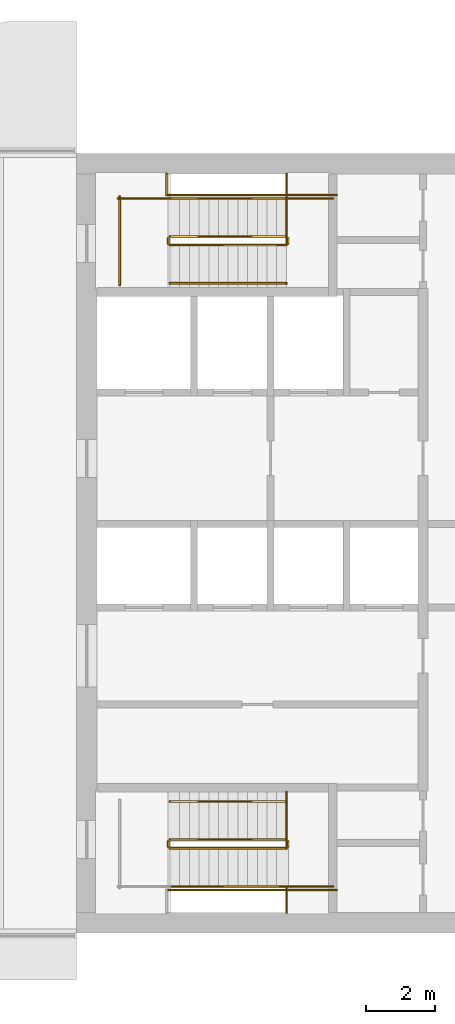
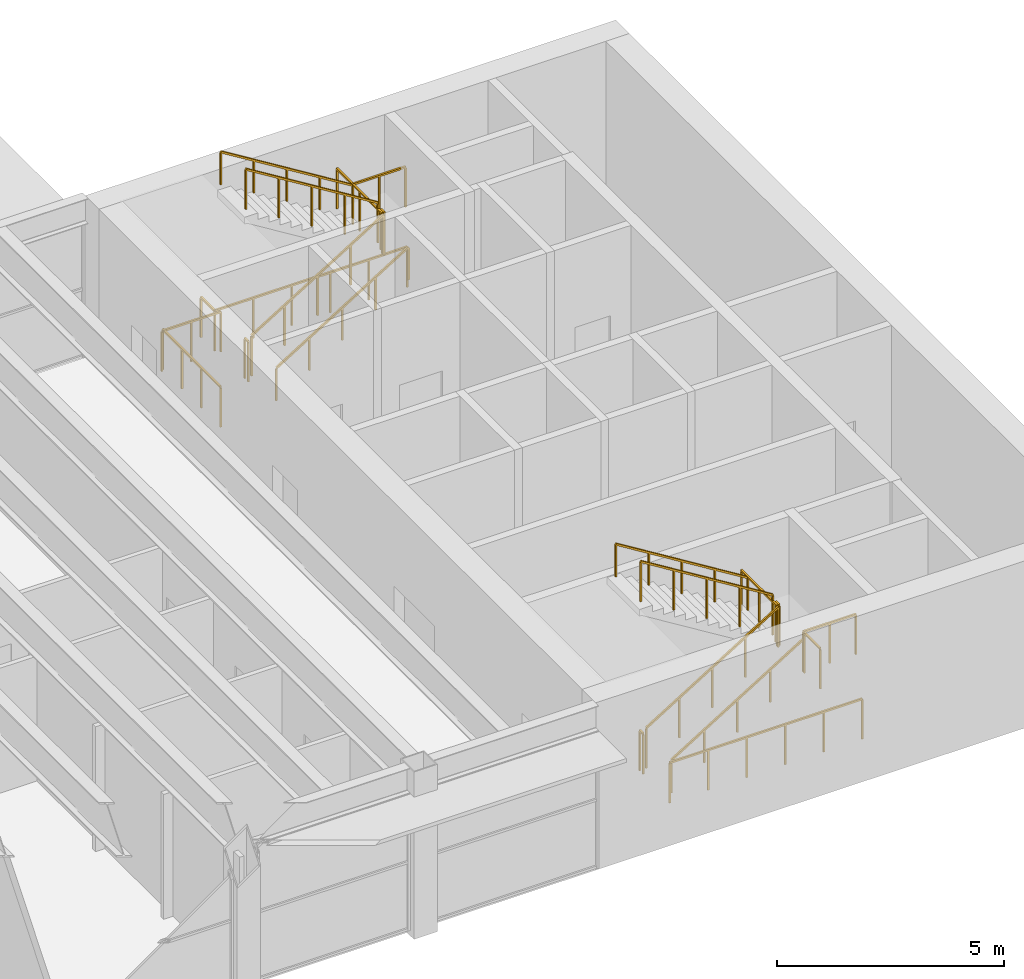
# One storey, part 14 of 14: 22 railings.
"""IFC4 building model written with IfcOpenShell, lengths in metres."""

from ifc_helpers import new_model, si_unit, direction, frame, origin, origin_2d, place, context, subcontext, project, spatial, rectangle, extrude, material, type_object, element, save


model = new_model("IFC4")

# Units and contexts
model_context = context("Model", 3, precision=1e-05, world=origin(), true_north=direction((0.0, 1.0)))
body_context = subcontext(model_context, "Body", "Model", "MODEL_VIEW")
ifc_project = project(units=[si_unit("LENGTHUNIT", "METRE"), si_unit("AREAUNIT", "SQUARE_METRE"), si_unit("VOLUMEUNIT", "CUBIC_METRE"), si_unit("PLANEANGLEUNIT", "RADIAN"), si_unit("MASSUNIT", "GRAM", prefix="KILO")], contexts=[model_context])

# Site, building, storey
site_placement = place(None, origin())
site = spatial("IfcSite", under=ifc_project, at=site_placement, CompositionType="ELEMENT")
building_placement = place(site_placement, origin())
building = spatial("IfcBuilding", under=site, at=building_placement, Name="Sennacour Bend Tower", CompositionType="ELEMENT")
storey_placement = place(building_placement, frame((0.0, 0.0, 332.0)))
storey = spatial("IfcBuildingStorey", under=building, at=storey_placement, Name="L76", CompositionType="ELEMENT", Elevation=332.0)

# Railings
ifc_material = material(Name="Stainless steel", Category="steel")
railing_type_1 = type_object("IfcRailingType", Name="RL-GUARD-1100", PredefinedType="GUARDRAIL", material=ifc_material)
railing_1_placement = place(storey_placement, frame((56.699951171875, 2.449951171875, 0.173095703125)))
element("IfcRailing", 1, at=railing_1_placement, inside=storey, type_object=railing_type_1, Name="L76 SA1 stair guard 1", PredefinedType="GUARDRAIL", context=body_context, shape_type="SweptSolid", body=[
    extrude(rectangle(XDim=0.048095703125, YDim=0.048095703125, at=origin_2d()), frame((0.0, 0.0, 1.076171875), z_axis=(0.850623216509, 0.0, 0.525775754039), x_axis=(0.0, 1.0, 0.0)), (0.0, 0.0, 1.0), 3.9501953125),
    extrude(rectangle(XDim=0.0419921875, YDim=0.0419921875, at=origin_2d()), origin(), (0.0, 0.0, 1.0), 1.052001953125),
    extrude(rectangle(XDim=0.0419921875, YDim=0.0419921875, at=origin_2d()), frame((0.840087890625, 0.0, 0.519287109375)), (0.0, 0.0, 1.0), 1.052001953125),
    extrude(rectangle(XDim=0.0419921875, YDim=0.0419921875, at=origin_2d()), frame((1.68017578125, 0.0, 1.03857421875)), (0.0, 0.0, 1.0), 1.052001953125),
    extrude(rectangle(XDim=0.0419921875, YDim=0.0419921875, at=origin_2d()), frame((2.52001953125, 0.0, 1.5576171875)), (0.0, 0.0, 1.0), 1.052001953125),
    extrude(rectangle(XDim=0.0419921875, YDim=0.0419921875, at=origin_2d()), frame((3.360107421875, 0.0, 2.076904296875)), (0.0, 0.0, 1.0), 1.052001953125),
])
railing_2_placement = place(storey_placement, frame((60.110107421875, 2.5, 2.25)))
element("IfcRailing", 2, at=railing_2_placement, inside=storey, type_object=railing_type_1, Name="L76 SA1 stair guard 2", PredefinedType="GUARDRAIL", context=body_context, shape_type="SweptSolid", body=[
    extrude(rectangle(XDim=0.048095703125, YDim=0.048095703125, at=origin_2d()), frame((0.0, 0.0, 1.076171875), z_axis=(0.0, 1.0, 0.0), x_axis=(-1.0, 0.0, 0.0)), (0.0, 0.0, 1.0), 0.14990234375),
    extrude(rectangle(XDim=0.0419921875, YDim=0.0419921875, at=origin_2d()), origin(), (0.0, 0.0, 1.0), 1.052001953125),
    extrude(rectangle(XDim=0.0419921875, YDim=0.0419921875, at=origin_2d()), frame((0.0, 0.14990234375, 0.0)), (0.0, 0.0, 1.0), 1.052001953125),
])
railing_3_placement = place(storey_placement, frame((60.06005859375, 1.35009765625, 2.25)))
element("IfcRailing", 3, at=railing_3_placement, inside=storey, type_object=railing_type_1, Name="L76 SA1 stair guard 3", PredefinedType="GUARDRAIL", context=body_context, shape_type="SweptSolid", body=[
    extrude(rectangle(XDim=0.048095703125, YDim=0.048095703125, at=origin_2d()), frame((0.0, 0.0, 1.076171875), z_axis=(1.0, 0.0, 0.0), x_axis=(0.0, 1.0, 0.0)), (0.0, 0.0, 1.0), 1.33984375),
    extrude(rectangle(XDim=0.0419921875, YDim=0.0419921875, at=origin_2d()), origin(), (0.0, 0.0, 1.0), 1.052001953125),
    extrude(rectangle(XDim=0.0419921875, YDim=0.0419921875, at=origin_2d()), frame((0.669921875, 0.0, 0.0)), (0.0, 0.0, 1.0), 1.052001953125),
    extrude(rectangle(XDim=0.0419921875, YDim=0.0419921875, at=origin_2d()), frame((1.33984375, 0.0, 0.0)), (0.0, 0.0, 1.0), 1.052001953125),
])
railing_4_placement = place(storey_placement, frame((60.06005859375, 2.699951171875, 2.423095703125)))
element("IfcRailing", 4, at=railing_4_placement, inside=storey, type_object=railing_type_1, Name="L76 SA1 stair guard 4", PredefinedType="GUARDRAIL", context=body_context, shape_type="SweptSolid", body=[
    extrude(rectangle(XDim=0.048095703125, YDim=0.048095703125, at=origin_2d()), frame((0.0, 0.0, 1.076171875), z_axis=(-0.850623216509, 0.0, 0.525775754039), x_axis=(0.0, -1.0, 0.0)), (0.0, 0.0, 1.0), 3.9501953125),
    extrude(rectangle(XDim=0.0419921875, YDim=0.0419921875, at=origin_2d()), origin(), (0.0, 0.0, 1.0), 1.052001953125),
    extrude(rectangle(XDim=0.0419921875, YDim=0.0419921875, at=origin_2d()), frame((-0.840087890625, 0.0, 0.519287109375)), (0.0, 0.0, 1.0), 1.052001953125),
    extrude(rectangle(XDim=0.0419921875, YDim=0.0419921875, at=origin_2d()), frame((-1.68017578125, 0.0, 1.03857421875)), (0.0, 0.0, 1.0), 1.052001953125),
    extrude(rectangle(XDim=0.0419921875, YDim=0.0419921875, at=origin_2d()), frame((-2.52001953125, 0.0, 1.5576171875)), (0.0, 0.0, 1.0), 1.052001953125),
    extrude(rectangle(XDim=0.0419921875, YDim=0.0419921875, at=origin_2d()), frame((-3.360107421875, 0.0, 2.076904296875)), (0.0, 0.0, 1.0), 1.052001953125),
])
railing_5_placement = place(storey_placement, frame((56.64990234375, 2.5, 0.0)))
element("IfcRailing", 5, at=railing_5_placement, inside=storey, type_object=railing_type_1, Name="L76 SA1 stair guard 5", PredefinedType="GUARDRAIL", context=body_context, shape_type="SweptSolid", body=[
    extrude(rectangle(XDim=0.048095703125, YDim=0.048095703125, at=origin_2d()), frame((0.0, 0.0, 1.076171875), z_axis=(0.0, 1.0, 0.0), x_axis=(-1.0, 0.0, 0.0)), (0.0, 0.0, 1.0), 0.14990234375),
    extrude(rectangle(XDim=0.0419921875, YDim=0.0419921875, at=origin_2d()), origin(), (0.0, 0.0, 1.0), 1.052001953125),
    extrude(rectangle(XDim=0.0419921875, YDim=0.0419921875, at=origin_2d()), frame((0.0, 0.14990234375, 0.0)), (0.0, 0.0, 1.0), 1.052001953125),
])
railing_6_placement = place(storey_placement, frame((56.60009765625, 1.25, 0.0)))
element("IfcRailing", 6, at=railing_6_placement, inside=storey, type_object=railing_type_1, Name="L76 SA1 stair guard 8", PredefinedType="GUARDRAIL", context=body_context, shape_type="SweptSolid", body=[
    extrude(rectangle(XDim=0.048095703125, YDim=0.048095703125, at=origin_2d()), frame((0.0, 0.0, 1.076171875), z_axis=(1.0, 0.0, 0.0), x_axis=(0.0, 1.0, 0.0)), (0.0, 0.0, 1.0), 4.89990234375),
    extrude(rectangle(XDim=0.0419921875, YDim=0.0419921875, at=origin_2d()), origin(), (0.0, 0.0, 1.0), 1.052001953125),
    extrude(rectangle(XDim=0.0419921875, YDim=0.0419921875, at=origin_2d()), frame((0.97998046875, 0.0, 0.0)), (0.0, 0.0, 1.0), 1.052001953125),
    extrude(rectangle(XDim=0.0419921875, YDim=0.0419921875, at=origin_2d()), frame((1.9599609375, 0.0, 0.0)), (0.0, 0.0, 1.0), 1.052001953125),
    extrude(rectangle(XDim=0.0419921875, YDim=0.0419921875, at=origin_2d()), frame((2.93994140625, 0.0, 0.0)), (0.0, 0.0, 1.0), 1.052001953125),
    extrude(rectangle(XDim=0.0419921875, YDim=0.0419921875, at=origin_2d()), frame((3.919921875, 0.0, 0.0)), (0.0, 0.0, 1.0), 1.052001953125),
    extrude(rectangle(XDim=0.0419921875, YDim=0.0419921875, at=origin_2d()), frame((4.89990234375, 0.0, 0.0)), (0.0, 0.0, 1.0), 1.052001953125),
])
railing_7_placement = place(storey_placement, frame((60.06005859375, 0.60009765625, 2.25)))
element("IfcRailing", 7, at=railing_7_placement, inside=storey, type_object=railing_type_1, Name="L76 SA1 landing edge guard 125", PredefinedType="GUARDRAIL", context=body_context, shape_type="SweptSolid", body=[
    extrude(rectangle(XDim=0.048095703125, YDim=0.048095703125, at=origin_2d()), frame((0.0, 0.0, 1.076171875), z_axis=(0.0, 1.0, 0.0), x_axis=(-1.0, 0.0, 0.0)), (0.0, 0.0, 1.0), 0.699951171875),
    extrude(rectangle(XDim=0.0419921875, YDim=0.0419921875, at=origin_2d()), origin(), (0.0, 0.0, 1.0), 1.052001953125),
    extrude(rectangle(XDim=0.0419921875, YDim=0.0419921875, at=origin_2d()), frame((0.0, 0.699951171875, 0.0)), (0.0, 0.0, 1.0), 1.052001953125),
])
railing_8_placement = place(storey_placement, frame((60.06005859375, 2.5, 2.25)))
element("IfcRailing", 8, at=railing_8_placement, inside=storey, type_object=railing_type_1, Name="L76 SA1 landing edge guard 126", PredefinedType="GUARDRAIL", context=body_context, shape_type="SweptSolid", body=[
    extrude(rectangle(XDim=0.048095703125, YDim=0.048095703125, at=origin_2d()), frame((0.0, 0.0, 1.076171875), z_axis=(0.0, 1.0, 0.0), x_axis=(-1.0, 0.0, 0.0)), (0.0, 0.0, 1.0), 1.574951171875),
    extrude(rectangle(XDim=0.0419921875, YDim=0.0419921875, at=origin_2d()), origin(), (0.0, 0.0, 1.0), 1.052001953125),
    extrude(rectangle(XDim=0.0419921875, YDim=0.0419921875, at=origin_2d()), frame((0.0, 0.78759765625, 0.0)), (0.0, 0.0, 1.0), 1.052001953125),
    extrude(rectangle(XDim=0.0419921875, YDim=0.0419921875, at=origin_2d()), frame((0.0, 1.574951171875, 0.0)), (0.0, 0.0, 1.0), 1.052001953125),
])
railing_9_placement = place(storey_placement, frame((56.699951171875, 19.85009765625, 0.173095703125)))
element("IfcRailing", 9, at=railing_9_placement, inside=storey, type_object=railing_type_1, Name="L76 SA2 stair guard 1", PredefinedType="GUARDRAIL", context=body_context, shape_type="SweptSolid", body=[
    extrude(rectangle(XDim=0.048095703125, YDim=0.048095703125, at=origin_2d()), frame((0.0, 0.0, 1.076171875), z_axis=(0.850623216509, 0.0, 0.525775754039), x_axis=(0.0, 1.0, 0.0)), (0.0, 0.0, 1.0), 3.9501953125),
    extrude(rectangle(XDim=0.0419921875, YDim=0.0419921875, at=origin_2d()), origin(), (0.0, 0.0, 1.0), 1.052001953125),
    extrude(rectangle(XDim=0.0419921875, YDim=0.0419921875, at=origin_2d()), frame((0.840087890625, 0.0, 0.519287109375)), (0.0, 0.0, 1.0), 1.052001953125),
    extrude(rectangle(XDim=0.0419921875, YDim=0.0419921875, at=origin_2d()), frame((1.68017578125, 0.0, 1.03857421875)), (0.0, 0.0, 1.0), 1.052001953125),
    extrude(rectangle(XDim=0.0419921875, YDim=0.0419921875, at=origin_2d()), frame((2.52001953125, 0.0, 1.5576171875)), (0.0, 0.0, 1.0), 1.052001953125),
    extrude(rectangle(XDim=0.0419921875, YDim=0.0419921875, at=origin_2d()), frame((3.360107421875, 0.0, 2.076904296875)), (0.0, 0.0, 1.0), 1.052001953125),
])
railing_10_placement = place(storey_placement, frame((60.110107421875, 19.89990234375, 2.25)))
element("IfcRailing", 10, at=railing_10_placement, inside=storey, type_object=railing_type_1, Name="L76 SA2 stair guard 2", PredefinedType="GUARDRAIL", context=body_context, shape_type="SweptSolid", body=[
    extrude(rectangle(XDim=0.048095703125, YDim=0.048095703125, at=origin_2d()), frame((0.0, 0.0, 1.076171875), z_axis=(0.0, 1.0, 0.0), x_axis=(-1.0, 0.0, 0.0)), (0.0, 0.0, 1.0), 0.150146484375),
    extrude(rectangle(XDim=0.0419921875, YDim=0.0419921875, at=origin_2d()), origin(), (0.0, 0.0, 1.0), 1.052001953125),
    extrude(rectangle(XDim=0.0419921875, YDim=0.0419921875, at=origin_2d()), frame((0.0, 0.150146484375, 0.0)), (0.0, 0.0, 1.0), 1.052001953125),
])
railing_11_placement = place(storey_placement, frame((60.06005859375, 21.199951171875, 2.25)))
element("IfcRailing", 11, at=railing_11_placement, inside=storey, type_object=railing_type_1, Name="L76 SA2 stair guard 3", PredefinedType="GUARDRAIL", context=body_context, shape_type="SweptSolid", body=[
    extrude(rectangle(XDim=0.048095703125, YDim=0.048095703125, at=origin_2d()), frame((0.0, 0.0, 1.076171875), z_axis=(1.0, 0.0, 0.0), x_axis=(0.0, 1.0, 0.0)), (0.0, 0.0, 1.0), 1.33984375),
    extrude(rectangle(XDim=0.0419921875, YDim=0.0419921875, at=origin_2d()), origin(), (0.0, 0.0, 1.0), 1.052001953125),
    extrude(rectangle(XDim=0.0419921875, YDim=0.0419921875, at=origin_2d()), frame((0.669921875, 0.0, 0.0)), (0.0, 0.0, 1.0), 1.052001953125),
    extrude(rectangle(XDim=0.0419921875, YDim=0.0419921875, at=origin_2d()), frame((1.33984375, 0.0, 0.0)), (0.0, 0.0, 1.0), 1.052001953125),
])
railing_12_placement = place(storey_placement, frame((60.06005859375, 20.10009765625, 2.423095703125)))
element("IfcRailing", 12, at=railing_12_placement, inside=storey, type_object=railing_type_1, Name="L76 SA2 stair guard 4", PredefinedType="GUARDRAIL", context=body_context, shape_type="SweptSolid", body=[
    extrude(rectangle(XDim=0.048095703125, YDim=0.048095703125, at=origin_2d()), frame((0.0, 0.0, 1.076171875), z_axis=(-0.850623216509, 0.0, 0.525775754039), x_axis=(0.0, -1.0, 0.0)), (0.0, 0.0, 1.0), 3.9501953125),
    extrude(rectangle(XDim=0.0419921875, YDim=0.0419921875, at=origin_2d()), origin(), (0.0, 0.0, 1.0), 1.052001953125),
    extrude(rectangle(XDim=0.0419921875, YDim=0.0419921875, at=origin_2d()), frame((-0.840087890625, 0.0, 0.519287109375)), (0.0, 0.0, 1.0), 1.052001953125),
    extrude(rectangle(XDim=0.0419921875, YDim=0.0419921875, at=origin_2d()), frame((-1.68017578125, 0.0, 1.03857421875)), (0.0, 0.0, 1.0), 1.052001953125),
    extrude(rectangle(XDim=0.0419921875, YDim=0.0419921875, at=origin_2d()), frame((-2.52001953125, 0.0, 1.5576171875)), (0.0, 0.0, 1.0), 1.052001953125),
    extrude(rectangle(XDim=0.0419921875, YDim=0.0419921875, at=origin_2d()), frame((-3.360107421875, 0.0, 2.076904296875)), (0.0, 0.0, 1.0), 1.052001953125),
])
railing_13_placement = place(storey_placement, frame((56.64990234375, 19.89990234375, 0.0)))
element("IfcRailing", 13, at=railing_13_placement, inside=storey, type_object=railing_type_1, Name="L76 SA2 stair guard 5", PredefinedType="GUARDRAIL", context=body_context, shape_type="SweptSolid", body=[
    extrude(rectangle(XDim=0.048095703125, YDim=0.048095703125, at=origin_2d()), frame((0.0, 0.0, 1.076171875), z_axis=(0.0, 1.0, 0.0), x_axis=(-1.0, 0.0, 0.0)), (0.0, 0.0, 1.0), 0.150146484375),
    extrude(rectangle(XDim=0.0419921875, YDim=0.0419921875, at=origin_2d()), origin(), (0.0, 0.0, 1.0), 1.052001953125),
    extrude(rectangle(XDim=0.0419921875, YDim=0.0419921875, at=origin_2d()), frame((0.0, 0.150146484375, 0.0)), (0.0, 0.0, 1.0), 1.052001953125),
])
railing_14_placement = place(storey_placement, frame((55.199951171875, 21.199951171875, 0.0)))
element("IfcRailing", 14, at=railing_14_placement, inside=storey, type_object=railing_type_1, Name="L76 SA2 stair guard 6", PredefinedType="GUARDRAIL", context=body_context, shape_type="SweptSolid", body=[
    extrude(rectangle(XDim=0.048095703125, YDim=0.048095703125, at=origin_2d()), frame((0.0, 0.0, 1.076171875), z_axis=(1.0, 0.0, 0.0), x_axis=(0.0, 1.0, 0.0)), (0.0, 0.0, 1.0), 1.5),
    extrude(rectangle(XDim=0.0419921875, YDim=0.0419921875, at=origin_2d()), origin(), (0.0, 0.0, 1.0), 1.052001953125),
    extrude(rectangle(XDim=0.0419921875, YDim=0.0419921875, at=origin_2d()), frame((0.75, 0.0, 0.0)), (0.0, 0.0, 1.0), 1.052001953125),
    extrude(rectangle(XDim=0.0419921875, YDim=0.0419921875, at=origin_2d()), frame((1.5, 0.0, 0.0)), (0.0, 0.0, 1.0), 1.052001953125),
])
railing_15_placement = place(storey_placement, frame((55.25, 18.699951171875, 0.0)))
element("IfcRailing", 15, at=railing_15_placement, inside=storey, type_object=railing_type_1, Name="L76 SA2 stair guard 7", PredefinedType="GUARDRAIL", context=body_context, shape_type="SweptSolid", body=[
    extrude(rectangle(XDim=0.048095703125, YDim=0.048095703125, at=origin_2d()), frame((0.0, 0.0, 1.076171875), z_axis=(0.0, 1.0, 0.0), x_axis=(-1.0, 0.0, 0.0)), (0.0, 0.0, 1.0), 2.550048828125),
    extrude(rectangle(XDim=0.0419921875, YDim=0.0419921875, at=origin_2d()), origin(), (0.0, 0.0, 1.0), 1.052001953125),
    extrude(rectangle(XDim=0.0419921875, YDim=0.0419921875, at=origin_2d()), frame((0.0, 0.85009765625, 0.0)), (0.0, 0.0, 1.0), 1.052001953125),
    extrude(rectangle(XDim=0.0419921875, YDim=0.0419921875, at=origin_2d()), frame((0.0, 1.699951171875, 0.0)), (0.0, 0.0, 1.0), 1.052001953125),
    extrude(rectangle(XDim=0.0419921875, YDim=0.0419921875, at=origin_2d()), frame((0.0, 2.550048828125, 0.0)), (0.0, 0.0, 1.0), 1.052001953125),
])
railing_16_placement = place(storey_placement, frame((56.60009765625, 21.300048828125, 0.0)))
element("IfcRailing", 16, at=railing_16_placement, inside=storey, type_object=railing_type_1, Name="L76 SA2 stair guard 8", PredefinedType="GUARDRAIL", context=body_context, shape_type="SweptSolid", body=[
    extrude(rectangle(XDim=0.048095703125, YDim=0.048095703125, at=origin_2d()), frame((0.0, 0.0, 1.076171875), z_axis=(1.0, 0.0, 0.0), x_axis=(0.0, 1.0, 0.0)), (0.0, 0.0, 1.0), 4.89990234375),
    extrude(rectangle(XDim=0.0419921875, YDim=0.0419921875, at=origin_2d()), origin(), (0.0, 0.0, 1.0), 1.052001953125),
    extrude(rectangle(XDim=0.0419921875, YDim=0.0419921875, at=origin_2d()), frame((0.97998046875, 0.0, 0.0)), (0.0, 0.0, 1.0), 1.052001953125),
    extrude(rectangle(XDim=0.0419921875, YDim=0.0419921875, at=origin_2d()), frame((1.9599609375, 0.0, 0.0)), (0.0, 0.0, 1.0), 1.052001953125),
    extrude(rectangle(XDim=0.0419921875, YDim=0.0419921875, at=origin_2d()), frame((2.93994140625, 0.0, 0.0)), (0.0, 0.0, 1.0), 1.052001953125),
    extrude(rectangle(XDim=0.0419921875, YDim=0.0419921875, at=origin_2d()), frame((3.919921875, 0.0, 0.0)), (0.0, 0.0, 1.0), 1.052001953125),
    extrude(rectangle(XDim=0.0419921875, YDim=0.0419921875, at=origin_2d()), frame((4.89990234375, 0.0, 0.0)), (0.0, 0.0, 1.0), 1.052001953125),
])
railing_17_placement = place(storey_placement, frame((60.06005859375, 19.89990234375, 2.25)))
element("IfcRailing", 17, at=railing_17_placement, inside=storey, type_object=railing_type_1, Name="L76 SA2 landing edge guard 99", PredefinedType="GUARDRAIL", context=body_context, shape_type="SweptSolid", body=[
    extrude(rectangle(XDim=0.048095703125, YDim=0.048095703125, at=origin_2d()), frame((0.0, 0.0, 1.076171875), z_axis=(0.0, 1.0, 0.0), x_axis=(-1.0, 0.0, 0.0)), (0.0, 0.0, 1.0), 2.0),
    extrude(rectangle(XDim=0.0419921875, YDim=0.0419921875, at=origin_2d()), origin(), (0.0, 0.0, 1.0), 1.052001953125),
    extrude(rectangle(XDim=0.0419921875, YDim=0.0419921875, at=origin_2d()), frame((0.0, 1.0, 0.0)), (0.0, 0.0, 1.0), 1.052001953125),
    extrude(rectangle(XDim=0.0419921875, YDim=0.0419921875, at=origin_2d()), frame((0.0, 2.0, 0.0)), (0.0, 0.0, 1.0), 1.052001953125),
])
railing_18_placement = place(storey_placement, frame((56.60009765625, 21.300048828125, 0.0)))
element("IfcRailing", 18, at=railing_18_placement, inside=storey, type_object=railing_type_1, Name="L76 SA2 landing edge guard 130", PredefinedType="GUARDRAIL", context=body_context, shape_type="SweptSolid", body=[
    extrude(rectangle(XDim=0.048095703125, YDim=0.048095703125, at=origin_2d()), frame((0.0, 0.0, 1.076171875), z_axis=(0.0, 1.0, 0.0), x_axis=(-1.0, 0.0, 0.0)), (0.0, 0.0, 1.0), 0.599853515625),
    extrude(rectangle(XDim=0.0419921875, YDim=0.0419921875, at=origin_2d()), origin(), (0.0, 0.0, 1.0), 1.052001953125),
    extrude(rectangle(XDim=0.0419921875, YDim=0.0419921875, at=origin_2d()), frame((0.0, 0.599853515625, 0.0)), (0.0, 0.0, 1.0), 1.052001953125),
])
railing_type_2 = type_object("IfcRailingType", Name="RL-HANDRAIL-900", PredefinedType="HANDRAIL", material=ifc_material)
railing_19_placement = place(storey_placement, frame((56.699951171875, 1.35009765625, 0.173095703125)))
element("IfcRailing", 19, at=railing_19_placement, inside=storey, type_object=railing_type_2, Name="L76 SA1 stair handrail 1", PredefinedType="HANDRAIL", context=body_context, shape_type="SweptSolid", body=[
    extrude(rectangle(XDim=0.048095703125, YDim=0.048095703125, at=origin_2d()), frame((0.0, 0.0, 0.8759765625), z_axis=(0.850623216509, 0.0, 0.525775754039), x_axis=(0.0, 1.0, 0.0)), (0.0, 0.0, 1.0), 3.9501953125),
    extrude(rectangle(XDim=0.0419921875, YDim=0.0419921875, at=origin_2d()), origin(), (0.0, 0.0, 1.0), 0.851806640625),
    extrude(rectangle(XDim=0.0419921875, YDim=0.0419921875, at=origin_2d()), frame((0.840087890625, 0.0, 0.519287109375)), (0.0, 0.0, 1.0), 0.851806640625),
    extrude(rectangle(XDim=0.0419921875, YDim=0.0419921875, at=origin_2d()), frame((1.68017578125, 0.0, 1.03857421875)), (0.0, 0.0, 1.0), 0.851806640625),
    extrude(rectangle(XDim=0.0419921875, YDim=0.0419921875, at=origin_2d()), frame((2.52001953125, 0.0, 1.5576171875)), (0.0, 0.0, 1.0), 0.851806640625),
    extrude(rectangle(XDim=0.0419921875, YDim=0.0419921875, at=origin_2d()), frame((3.360107421875, 0.0, 2.076904296875)), (0.0, 0.0, 1.0), 0.851806640625),
])
railing_20_placement = place(storey_placement, frame((60.06005859375, 3.800048828125, 2.423095703125)))
element("IfcRailing", 20, at=railing_20_placement, inside=storey, type_object=railing_type_2, Name="L76 SA1 stair handrail 2", PredefinedType="HANDRAIL", context=body_context, shape_type="SweptSolid", body=[
    extrude(rectangle(XDim=0.048095703125, YDim=0.048095703125, at=origin_2d()), frame((0.0, 0.0, 0.8759765625), z_axis=(-0.850623216509, 0.0, 0.525775754039), x_axis=(0.0, -1.0, 0.0)), (0.0, 0.0, 1.0), 3.9501953125),
    extrude(rectangle(XDim=0.0419921875, YDim=0.0419921875, at=origin_2d()), origin(), (0.0, 0.0, 1.0), 0.851806640625),
    extrude(rectangle(XDim=0.0419921875, YDim=0.0419921875, at=origin_2d()), frame((-0.840087890625, 0.0, 0.519287109375)), (0.0, 0.0, 1.0), 0.851806640625),
    extrude(rectangle(XDim=0.0419921875, YDim=0.0419921875, at=origin_2d()), frame((-1.68017578125, 0.0, 1.03857421875)), (0.0, 0.0, 1.0), 0.851806640625),
    extrude(rectangle(XDim=0.0419921875, YDim=0.0419921875, at=origin_2d()), frame((-2.52001953125, 0.0, 1.5576171875)), (0.0, 0.0, 1.0), 0.851806640625),
    extrude(rectangle(XDim=0.0419921875, YDim=0.0419921875, at=origin_2d()), frame((-3.360107421875, 0.0, 2.076904296875)), (0.0, 0.0, 1.0), 0.851806640625),
])
railing_21_placement = place(storey_placement, frame((56.699951171875, 18.75, 0.173095703125)))
element("IfcRailing", 21, at=railing_21_placement, inside=storey, type_object=railing_type_2, Name="L76 SA2 stair handrail 1", PredefinedType="HANDRAIL", context=body_context, shape_type="SweptSolid", body=[
    extrude(rectangle(XDim=0.048095703125, YDim=0.048095703125, at=origin_2d()), frame((0.0, 0.0, 0.8759765625), z_axis=(0.850623216509, 0.0, 0.525775754039), x_axis=(0.0, 1.0, 0.0)), (0.0, 0.0, 1.0), 3.9501953125),
    extrude(rectangle(XDim=0.0419921875, YDim=0.0419921875, at=origin_2d()), origin(), (0.0, 0.0, 1.0), 0.851806640625),
    extrude(rectangle(XDim=0.0419921875, YDim=0.0419921875, at=origin_2d()), frame((0.840087890625, 0.0, 0.519287109375)), (0.0, 0.0, 1.0), 0.851806640625),
    extrude(rectangle(XDim=0.0419921875, YDim=0.0419921875, at=origin_2d()), frame((1.68017578125, 0.0, 1.03857421875)), (0.0, 0.0, 1.0), 0.851806640625),
    extrude(rectangle(XDim=0.0419921875, YDim=0.0419921875, at=origin_2d()), frame((2.52001953125, 0.0, 1.5576171875)), (0.0, 0.0, 1.0), 0.851806640625),
    extrude(rectangle(XDim=0.0419921875, YDim=0.0419921875, at=origin_2d()), frame((3.360107421875, 0.0, 2.076904296875)), (0.0, 0.0, 1.0), 0.851806640625),
])
railing_22_placement = place(storey_placement, frame((60.06005859375, 21.199951171875, 2.423095703125)))
element("IfcRailing", 22, at=railing_22_placement, inside=storey, type_object=railing_type_2, Name="L76 SA2 stair handrail 2", PredefinedType="HANDRAIL", context=body_context, shape_type="SweptSolid", body=[
    extrude(rectangle(XDim=0.048095703125, YDim=0.048095703125, at=origin_2d()), frame((0.0, 0.0, 0.8759765625), z_axis=(-0.850623216509, 0.0, 0.525775754039), x_axis=(0.0, -1.0, 0.0)), (0.0, 0.0, 1.0), 3.9501953125),
    extrude(rectangle(XDim=0.0419921875, YDim=0.0419921875, at=origin_2d()), origin(), (0.0, 0.0, 1.0), 0.851806640625),
    extrude(rectangle(XDim=0.0419921875, YDim=0.0419921875, at=origin_2d()), frame((-0.840087890625, 0.0, 0.519287109375)), (0.0, 0.0, 1.0), 0.851806640625),
    extrude(rectangle(XDim=0.0419921875, YDim=0.0419921875, at=origin_2d()), frame((-1.68017578125, 0.0, 1.03857421875)), (0.0, 0.0, 1.0), 0.851806640625),
    extrude(rectangle(XDim=0.0419921875, YDim=0.0419921875, at=origin_2d()), frame((-2.52001953125, 0.0, 1.5576171875)), (0.0, 0.0, 1.0), 0.851806640625),
    extrude(rectangle(XDim=0.0419921875, YDim=0.0419921875, at=origin_2d()), frame((-3.360107421875, 0.0, 2.076904296875)), (0.0, 0.0, 1.0), 0.851806640625),
])

save(model, "model.ifc")
